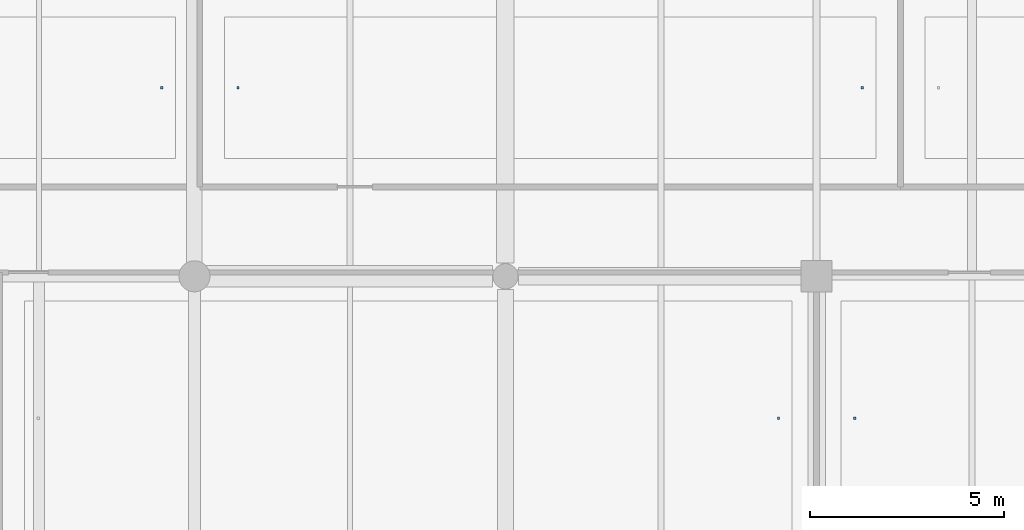
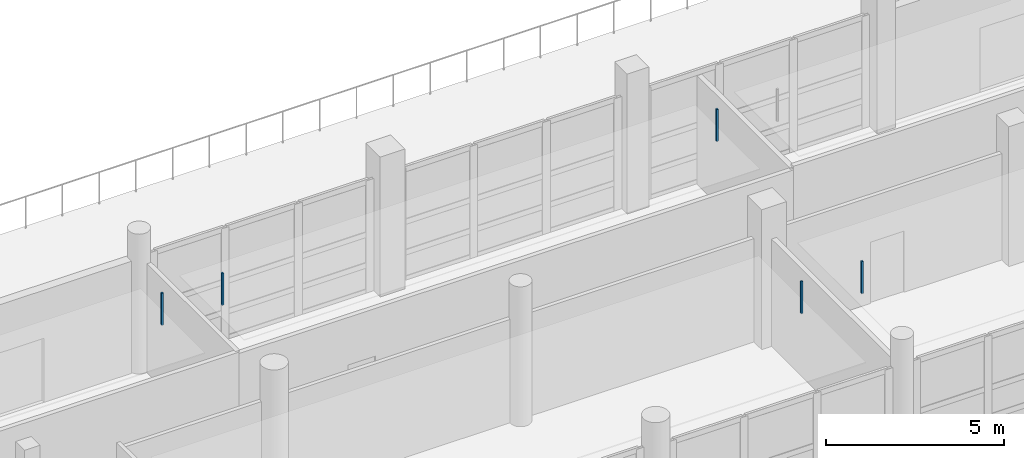
# One storey, part 104 of 147: 5 discrete accessories.
"""IFC4 building model written with IfcOpenShell, lengths in metres."""

from ifc_helpers import new_model, si_unit, direction, frame, origin, origin_2d, place, context, subcontext, project, spatial, rectangle, extrude, material, type_object, element, save


model = new_model("IFC4")

# Units and contexts
model_context = context("Model", 3, precision=1e-05, world=origin(), true_north=direction((0.0, 1.0)))
body_context = subcontext(model_context, "Body", "Model", "MODEL_VIEW")
ifc_project = project(units=[si_unit("LENGTHUNIT", "METRE"), si_unit("AREAUNIT", "SQUARE_METRE"), si_unit("VOLUMEUNIT", "CUBIC_METRE"), si_unit("PLANEANGLEUNIT", "RADIAN"), si_unit("MASSUNIT", "GRAM", prefix="KILO")], contexts=[model_context])

# Site, building, storey
site_placement = place(None, origin())
site = spatial("IfcSite", under=ifc_project, at=site_placement, CompositionType="ELEMENT")
building_placement = place(site_placement, origin())
building = spatial("IfcBuilding", under=site, at=building_placement, Name="Khelvaren Railside Concert Hall", CompositionType="ELEMENT")
storey_placement = place(building_placement, frame((0.0, 0.0, 5.39990234375)))
storey = spatial("IfcBuildingStorey", under=building, at=storey_placement, Name="L01", CompositionType="ELEMENT", Elevation=5.39990234375)

# Discrete accessories
ifc_material = material(Name="Galvanised steel acoustic ceiling hanger rod", Category="steel")
discrete_accessory_type = type_object("IfcDiscreteAccessoryType", Name="BRK62", PredefinedType="BRACKET", material=ifc_material)
for number, where, z_axis, x_axis, name in (
    (1, (87.158935546875, 12.449951171875, 3.429931640625), (0.0, 0.0, 1.0), (1.0, 0.0, 0.0), "Acoustic Ceiling Suspension Bracket 76-2"),
    (2, (89.118896484375, 12.449951171875, 3.429931640625), (0.0, 0.0, 1.0), (1.0, 0.0, 0.0), "Acoustic Ceiling Suspension Bracket 77-1"),
    (3, (105.176025390625, 12.449951171875, 3.429931640625), (0.0, 0.0, 1.0), (1.0, 0.0, 0.0), "Acoustic Ceiling Suspension Bracket 77-2"),
    (4, (103.02001953125, 3.949951171875, 3.429931640625), (0.0, 0.0, 1.0), (1.0, 0.0, 0.0), "Acoustic Ceiling Suspension Bracket 80-2"),
    (5, (104.97998046875, 3.949951171875, 3.429931640625), (0.0, 0.0, 1.0), (1.0, 0.0, 0.0), "Acoustic Ceiling Suspension Bracket 81-1"),
):
    element("IfcDiscreteAccessory", number, at=place(storey_placement, frame(where, z_axis=z_axis, x_axis=x_axis)), inside=storey, type_object=discrete_accessory_type, Name=name, PredefinedType="BRACKET", context=body_context, shape_type="SweptSolid", body=[
        extrude(rectangle(XDim=0.06005859375, YDim=0.06005859375, at=origin_2d()), origin(), (0.0, 0.0, 1.0), 1.10009765625),
    ])

save(model, "model.ifc")
